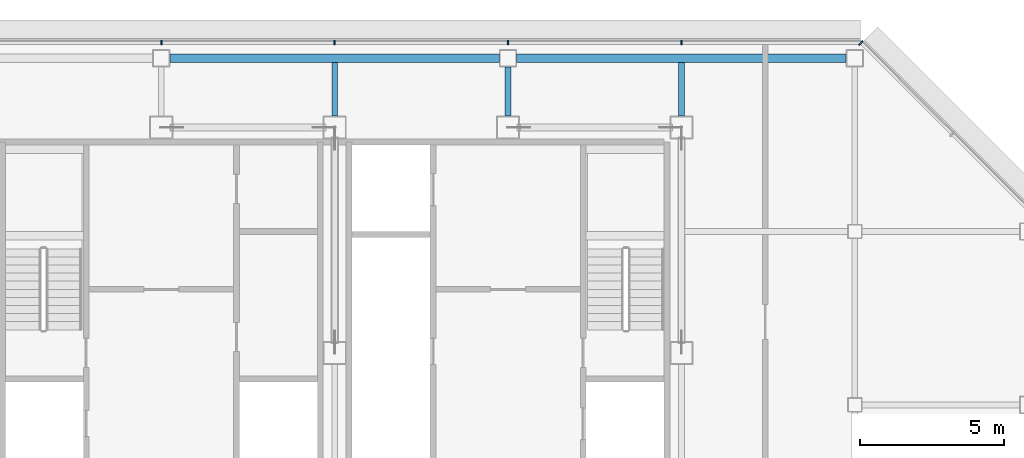
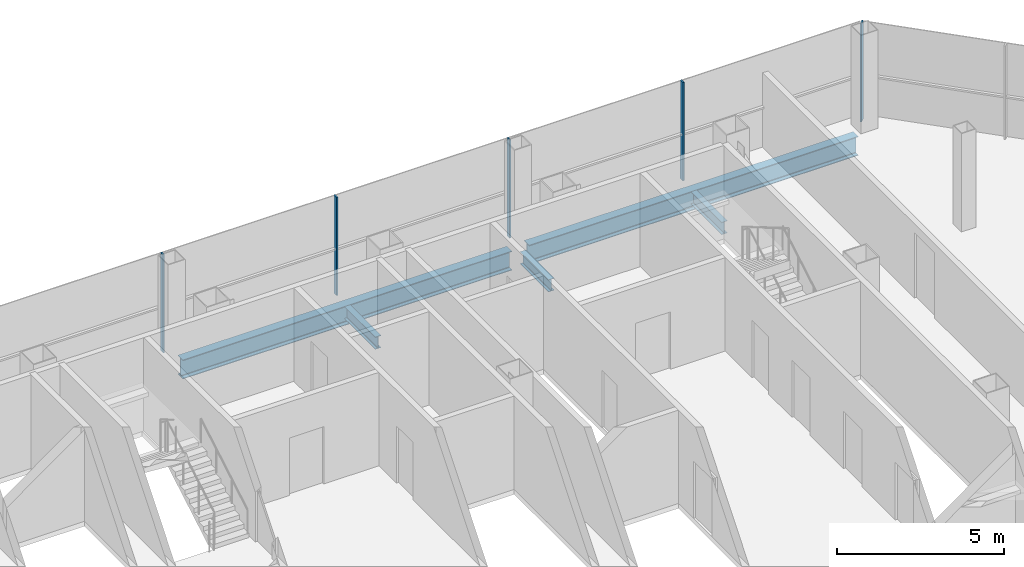
# One storey, part 16 of 28: 5 beams, 5 members, 2 elements without a shape of their own.
"""IFC4 building model written with IfcOpenShell, lengths in metres."""

import ifcopenshell
import ifcopenshell.guid

model = None  # the IFC model being written
_history = None  # IfcOwnerHistory: only IFC2X3 demands one
_inside = {}  # id of a spatial element -> (the spatial element, [elements in it])
_under = {}  # id of a project, library or spatial element -> (it, [spatial elements below it])
_declared = {}  # id of a project -> (the project, [libraries it declares])
_typed = {}  # id of a type object -> (the type object, [elements of that type])
_made_of = {}  # id of a material, layer set ... -> (it, [elements and type objects made of it])


def new_model(schema):
    """Start an empty IFC model of exactly this schema.

    Asked for "IFC4X3", IfcOpenShell would pick the latest addendum, in which some entities
    have other attributes; the version numbers below select the first issue.
    IFC2X3 requires an IfcOwnerHistory on every rooted entity: one is made here for all.
    """
    global model, _history
    if schema == "IFC4X3":
        model = ifcopenshell.file(schema_version=(4, 3, 0, 0))
    else:
        model = ifcopenshell.file(schema=schema)
    _inside.clear()
    _under.clear()
    _declared.clear()
    _typed.clear()
    _made_of.clear()
    _history = None
    if model.schema == "IFC2X3":
        org = make("IfcOrganization", Name="unknown")
        user = make(
            "IfcPersonAndOrganization",
            ThePerson=make("IfcPerson", FamilyName="unknown"),
            TheOrganization=org,
        )
        app = make(
            "IfcApplication",
            ApplicationDeveloper=org,
            Version="unknown",
            ApplicationFullName="unknown",
            ApplicationIdentifier="unknown",
        )
        _history = make(
            "IfcOwnerHistory",
            OwningUser=user,
            OwningApplication=app,
            ChangeAction="ADDED",
            CreationDate=0,
        )
    return model


def make(cls, **values):
    """One entity of the class cls with the attributes given. An attribute that is None is left unset."""
    return model.create_entity(
        cls, **{name: value for name, value in values.items() if value is not None}
    )


def rooted(cls, **values):
    """An entity with a GlobalId (a new one), such as an element, a storey or a relation."""
    return make(cls, GlobalId=ifcopenshell.guid.new(), OwnerHistory=_history, **values)


def si_unit(unit_type, name, prefix=None):
    """IfcSIUnit, for example si_unit("LENGTHUNIT", "METRE", prefix="MILLI")."""
    return make("IfcSIUnit", UnitType=unit_type, Prefix=prefix, Name=name)


def assignment(units):
    """IfcUnitAssignment: the units of a project."""
    return None if units is None else make("IfcUnitAssignment", Units=units)


def point(xyz):
    """IfcCartesianPoint."""
    return None if xyz is None else make("IfcCartesianPoint", Coordinates=xyz)


def direction(xyz):
    """IfcDirection."""
    return None if xyz is None else make("IfcDirection", DirectionRatios=xyz)


def frame(location, z_axis=None, x_axis=None):
    """IfcAxis2Placement3D, a coordinate frame: its origin and axes. An axis left out is left unset."""
    return make(
        "IfcAxis2Placement3D",
        Location=point(location),
        Axis=direction(z_axis),
        RefDirection=direction(x_axis),
    )


def frame_2d(location, x_axis=None):
    """IfcAxis2Placement2D, a coordinate frame in the plane: its origin and x axis."""
    return make(
        "IfcAxis2Placement2D", Location=point(location), RefDirection=direction(x_axis)
    )


def origin():
    """The frame at (0, 0, 0) with its axes left unset."""
    return frame((0.0, 0.0, 0.0))


def origin_2d():
    """The frame at (0, 0) in the plane with its x axis left unset."""
    return frame_2d((0.0, 0.0))


def place(relative_to, where):
    """IfcLocalPlacement: puts the frame where relative to a parent placement (None: the world)."""
    return make(
        "IfcLocalPlacement", PlacementRelTo=relative_to, RelativePlacement=where
    )


def context(
    kind, dimensions, precision=None, world=None, true_north=None, identifier=None
):
    """IfcGeometricRepresentationContext, for example the 3D "Model" context."""
    return make(
        "IfcGeometricRepresentationContext",
        ContextIdentifier=identifier,
        ContextType=kind,
        CoordinateSpaceDimension=dimensions,
        Precision=precision,
        WorldCoordinateSystem=world,
        TrueNorth=true_north,
    )


def subcontext(parent, identifier, kind, view, scale=None):
    """IfcGeometricRepresentationSubContext, for example "Body" below "Model"."""
    return make(
        "IfcGeometricRepresentationSubContext",
        ContextIdentifier=identifier,
        ContextType=kind,
        ParentContext=parent,
        TargetScale=scale,
        TargetView=view,
    )


def project(units=None, contexts=None):
    """IfcProject with its units and contexts."""
    return rooted(
        "IfcProject",
        Name="project",
        RepresentationContexts=contexts,
        UnitsInContext=assignment(units),
    )


def spatial(cls, under=None, at=None, **own):
    """A site, building, storey or space (cls), placed at a placement, below another one or the project."""
    s = rooted(cls, ObjectPlacement=at, **own)
    if under is not None:
        _under.setdefault(under.id(), (under, []))[1].append(s)
    return s


def profile(cls, at=None, kind="AREA", **sizes):
    """A parametric profile (cls). Its sizes go by their IFC names, for example OverallWidth=200.0."""
    return make(cls, ProfileType=kind, Position=at, **sizes)


def rectangle(**sizes):
    """IfcRectangleProfileDef."""
    return profile("IfcRectangleProfileDef", **sizes)


def i_section(**sizes):
    """IfcIShapeProfileDef."""
    return profile("IfcIShapeProfileDef", **sizes)


def extrude(swept, where, along, depth):
    """IfcExtrudedAreaSolid: the profile swept, set in the frame where, extruded along a direction by depth."""
    return make(
        "IfcExtrudedAreaSolid",
        SweptArea=swept,
        Position=where,
        ExtrudedDirection=direction(along),
        Depth=depth,
    )


def shape(context_of_items, identifier, shape_type, items):
    """IfcShapeRepresentation: the items that make up one representation, for example the "Body"."""
    return make(
        "IfcShapeRepresentation",
        ContextOfItems=context_of_items,
        RepresentationIdentifier=identifier,
        RepresentationType=shape_type,
        Items=items,
    )


def material(Name=None, Category=None):
    """IfcMaterial."""
    return make("IfcMaterial", Name=Name, Category=Category)


def material_profile(
    of_material, cross_section, Name=None, Category=None, Priority=None
):
    """IfcMaterialProfile: a cross section and its material."""
    return make(
        "IfcMaterialProfile",
        Name=Name,
        Material=of_material,
        Profile=cross_section,
        Priority=Priority,
        Category=Category,
    )


def profile_set(profiles, Name=None, composite=None):
    """IfcMaterialProfileSet."""
    return make(
        "IfcMaterialProfileSet",
        Name=Name,
        MaterialProfiles=profiles,
        CompositeProfile=composite,
    )


def made_of(thing, what):
    """Note that an element or type object is made of a material, layer set ...; save() writes the relation."""
    if what is not None:
        _made_of.setdefault(what.id(), (what, []))[1].append(thing)
    return thing


def type_object(cls, material=None, **own):
    """A type object (cls), such as IfcWallType, which elements share."""
    return made_of(rooted(cls, **own), material)


def element(
    cls,
    number,
    at=None,
    inside=None,
    cuts=None,
    type_object=None,
    material=None,
    context=None,
    identifier="Body",
    shape_type=None,
    held_by="IfcProductDefinitionShape",
    body=None,
    shapes=None,
    **own,
):
    """One element of the class cls, such as IfcWall. Its Tag is "e" and its number.

    at: its placement. inside: the storey or other place that contains it. cuts: it is an
    opening in that element (IfcRelVoidsElement). A single representation is given by context,
    identifier, shape_type and body (its items); several are given by shapes. held_by: the class
    of the entity that holds the representations. save() writes the other relations.
    """
    e = rooted(cls, Tag="e%d" % number, ObjectPlacement=at, **own)
    if body is not None:
        shapes = [shape(context, identifier, shape_type, body)]
    if shapes is not None:
        e.Representation = make(held_by, Representations=shapes)
    if inside is not None:
        _inside.setdefault(inside.id(), (inside, []))[1].append(e)
    if cuts is not None:
        rooted(
            "IfcRelVoidsElement", RelatingBuildingElement=cuts, RelatedOpeningElement=e
        )
    if type_object is not None:
        _typed.setdefault(type_object.id(), (type_object, []))[1].append(e)
    return made_of(e, material)


def aggregate(whole, parts):
    """IfcRelAggregates: a whole, such as a stair, and the parts it consists of."""
    return rooted("IfcRelAggregates", RelatingObject=whole, RelatedObjects=parts)


def save(model, path):
    """Write the relations noted so far, then the file.

    IfcRelAggregates (storeys below a building ...), IfcRelContainedInSpatialStructure (elements
    in a storey), IfcRelDefinesByType, IfcRelAssociatesMaterial and IfcRelDeclares: one each for
    every whole, place, type object, material and project.
    """
    for whole, parts in _under.values():
        aggregate(whole, parts)
    for where, things in _inside.values():
        rooted(
            "IfcRelContainedInSpatialStructure",
            RelatedElements=things,
            RelatingStructure=where,
        )
    for kind, things in _typed.values():
        rooted("IfcRelDefinesByType", RelatedObjects=things, RelatingType=kind)
    for what, things in _made_of.values():
        rooted("IfcRelAssociatesMaterial", RelatedObjects=things, RelatingMaterial=what)
    for by, libraries in _declared.values():
        rooted("IfcRelDeclares", RelatingContext=by, RelatedDefinitions=libraries)
    model.write(path)


model = new_model("IFC4")

# Units and contexts
model_context = context("Model", 3, precision=1e-05, world=origin(), true_north=direction((0.0, 1.0)))
body_context = subcontext(model_context, "Body", "Model", "MODEL_VIEW")
ifc_project = project(units=[si_unit("LENGTHUNIT", "METRE"), si_unit("AREAUNIT", "SQUARE_METRE"), si_unit("VOLUMEUNIT", "CUBIC_METRE"), si_unit("PLANEANGLEUNIT", "RADIAN"), si_unit("MASSUNIT", "GRAM", prefix="KILO")], contexts=[model_context])

# Site, building, storey
site_placement = place(None, origin())
site = spatial("IfcSite", under=ifc_project, at=site_placement, CompositionType="ELEMENT")
building_placement = place(site_placement, origin())
building = spatial("IfcBuilding", under=site, at=building_placement, Name="Sorahane Residences", CompositionType="ELEMENT")
storey_placement = place(building_placement, frame((0.0, 0.0, 273.800048828125)))
storey = spatial("IfcBuildingStorey", under=building, at=storey_placement, Name="L65", CompositionType="ELEMENT", Elevation=273.800048828125)

# Curtain wall, members
ifc_material_1 = material(Name="Dark low-e glass and black anodised aluminium", Category="aluminium")
curtain_wall_type_1 = type_object("IfcCurtainWallType", Name="Curtain wall CW-1 Typical unitised wall", PredefinedType="NOTDEFINED", material=ifc_material_1)
curtain_wall_1_placement = place(storey_placement, origin())
curtain_wall_1 = element("IfcCurtainWall", 1, at=curtain_wall_1_placement, inside=storey, type_object=curtain_wall_type_1, Name="CW-1 curtain wall L65 N1", PredefinedType="NOTDEFINED")
ifc_material_2 = material(Name="Black anodised aluminium", Category="aluminium")
ifc_material_profile_1 = material_profile(ifc_material_2, rectangle(XDim=0.159912109375, YDim=0.050048828125, at=origin_2d()), Name="Curtain wall mullion CW-1 black anodised aluminium 50x160")
ifc_profile_set_1 = profile_set([ifc_material_profile_1], Name="Black anodised aluminium")
member_type_1 = type_object("IfcMemberType", Name="Curtain wall mullion CW-1 black anodised aluminium 50x160", PredefinedType="MULLION", material=ifc_profile_set_1)
member_1_placement = place(storey_placement, frame((42.0, 48.5400390625, -0.179931640625), z_axis=(0.0, 0.0, 1.0), x_axis=(0.0, 1.0, 0.0)))
member_1 = element("IfcMember", 2, at=member_1_placement, type_object=member_type_1, Name="CW-1 mullion L65 N1.2", PredefinedType="MULLION", context=body_context, shape_type="SweptSolid", body=[
    extrude(rectangle(XDim=0.159912109375, YDim=0.050048828125, at=origin_2d()), origin(), (0.0, 0.0, 1.0), 3.599853515625),
])
member_2_placement = place(storey_placement, frame((36.0, 48.5400390625, -0.179931640625), z_axis=(0.0, 0.0, 1.0), x_axis=(0.0, 1.0, 0.0)))
member_2 = element("IfcMember", 3, at=member_2_placement, type_object=member_type_1, Name="CW-1 mullion L65 N1.3", PredefinedType="MULLION", context=body_context, shape_type="SweptSolid", body=[
    extrude(rectangle(XDim=0.159912109375, YDim=0.050048828125, at=origin_2d()), origin(), (0.0, 0.0, 1.0), 3.599853515625),
])
member_3_placement = place(storey_placement, frame((30.0, 48.5400390625, -0.179931640625), z_axis=(0.0, 0.0, 1.0), x_axis=(0.0, 1.0, 0.0)))
member_3 = element("IfcMember", 4, at=member_3_placement, type_object=member_type_1, Name="CW-1 mullion L65 N1.4", PredefinedType="MULLION", context=body_context, shape_type="SweptSolid", body=[
    extrude(rectangle(XDim=0.159912109375, YDim=0.050048828125, at=origin_2d()), origin(), (0.0, 0.0, 1.0), 3.599853515625),
])
member_4_placement = place(storey_placement, frame((24.0, 48.5400390625, -0.179931640625), z_axis=(0.0, 0.0, 1.0), x_axis=(0.0, 1.0, 0.0)))
member_4 = element("IfcMember", 5, at=member_4_placement, type_object=member_type_1, Name="CW-1 mullion L65 N1.5", PredefinedType="MULLION", context=body_context, shape_type="SweptSolid", body=[
    extrude(rectangle(XDim=0.159912109375, YDim=0.050048828125, at=origin_2d()), origin(), (0.0, 0.0, 1.0), 3.599853515625),
])
aggregate(curtain_wall_1, [member_1, member_2, member_3, member_4])

# Curtain wall, member
ifc_material_3 = material(Name="Dark low-e glass and black anodised aluminium", Category="aluminium")
curtain_wall_type_2 = type_object("IfcCurtainWallType", Name="Curtain wall CW-2 Chamfer unitised wall", PredefinedType="NOTDEFINED", material=ifc_material_3)
curtain_wall_2_placement = place(storey_placement, origin())
curtain_wall_2 = element("IfcCurtainWall", 6, at=curtain_wall_2_placement, inside=storey, type_object=curtain_wall_type_2, Name="CW-2 curtain wall L65 NE1", PredefinedType="NOTDEFINED")
ifc_material_4 = material(Name="Black anodised aluminium", Category="aluminium")
ifc_material_profile_2 = material_profile(ifc_material_4, rectangle(XDim=0.199951171875, YDim=0.050048828125, at=origin_2d()), Name="Curtain wall mullion CW-2 black anodised aluminium 50x200")
ifc_profile_set_2 = profile_set([ifc_material_profile_2], Name="Black anodised aluminium")
member_type_2 = type_object("IfcMemberType", Name="Curtain wall mullion CW-2 black anodised aluminium 50x200", PredefinedType="MULLION", material=ifc_profile_set_2)
member_5_placement = place(storey_placement, frame((48.209716796875, 48.525634765625, -0.179931640625), z_axis=(0.0, 0.0, 1.0), x_axis=(0.707106781187, 0.707106781187, 0.0)))
member_5 = element("IfcMember", 7, at=member_5_placement, type_object=member_type_2, Name="CW-2 mullion L65 NE1.3", PredefinedType="MULLION", context=body_context, shape_type="SweptSolid", body=[
    extrude(rectangle(XDim=0.199951171875, YDim=0.050048828125, at=origin_2d()), origin(), (0.0, 0.0, 1.0), 3.599853515625),
])
aggregate(curtain_wall_2, [member_5])

# Beams
ifc_material_5 = material(Name="Steel Q355B", Category="steel")
ifc_material_profile_3 = material_profile(ifc_material_5, i_section(OverallWidth=0.199951171875, OverallDepth=0.449951171875, WebThickness=0.009033203125, FlangeThickness=0.013916015625, FilletRadius=0.02001953125, at=origin_2d()), Name="HN 450x200x9x14")
ifc_profile_set_3 = profile_set([ifc_material_profile_3], Name="Steel Q355B")
beam_type_1 = type_object("IfcBeamType", Name="Steel floor beam HN 450x200x9x14 Q355B", PredefinedType="BEAM", material=ifc_profile_set_3)
beam_1_placement = place(storey_placement, frame((30.0, 46.0, -0.405029296875), z_axis=(0.0, 1.0, 0.0), x_axis=(-1.0, 0.0, 0.0)))
element("IfcBeam", 8, at=beam_1_placement, inside=storey, type_object=beam_type_1, Name="Beam L65 049", PredefinedType="BEAM", context=body_context, shape_type="SweptSolid", body=[
    extrude(i_section(OverallWidth=0.199951171875, OverallDepth=0.449951171875, WebThickness=0.009033203125, FlangeThickness=0.013916015625, FilletRadius=0.02001953125, at=origin_2d()), origin(), (0.0, 0.0, 1.0), 1.85009765625),
])
beam_2_placement = place(storey_placement, frame((36.0, 46.0, -0.405029296875), z_axis=(0.0, 1.0, 0.0), x_axis=(-1.0, 0.0, 0.0)))
element("IfcBeam", 9, at=beam_2_placement, inside=storey, type_object=beam_type_1, Name="Beam L65 051", PredefinedType="BEAM", context=body_context, shape_type="SweptSolid", body=[
    extrude(i_section(OverallWidth=0.199951171875, OverallDepth=0.449951171875, WebThickness=0.009033203125, FlangeThickness=0.013916015625, FilletRadius=0.02001953125, at=origin_2d()), origin(), (0.0, 0.0, 1.0), 1.699951171875),
])
beam_3_placement = place(storey_placement, frame((42.0, 46.0, -0.405029296875), z_axis=(0.0, 1.0, 0.0), x_axis=(-1.0, 0.0, 0.0)))
element("IfcBeam", 10, at=beam_3_placement, inside=storey, type_object=beam_type_1, Name="Beam L65 057", PredefinedType="BEAM", context=body_context, shape_type="SweptSolid", body=[
    extrude(i_section(OverallWidth=0.199951171875, OverallDepth=0.449951171875, WebThickness=0.009033203125, FlangeThickness=0.013916015625, FilletRadius=0.02001953125, at=origin_2d()), origin(), (0.0, 0.0, 1.0), 1.85009765625),
])
ifc_material_6 = material(Name="Steel Q355B", Category="steel")
ifc_material_profile_4 = material_profile(ifc_material_6, i_section(OverallWidth=0.300048828125, OverallDepth=0.699951171875, WebThickness=0.012939453125, FlangeThickness=0.02392578125, FilletRadius=0.028076171875, at=origin_2d()), Name="HN 700x300x13x24")
ifc_profile_set_4 = profile_set([ifc_material_profile_4], Name="Steel Q355B")
beam_type_2 = type_object("IfcBeamType", Name="Steel floor beam HN 700x300x13x24 Q355B", PredefinedType="BEAM", material=ifc_profile_set_4)
for number, where, z_axis, x_axis, name in (
    (11, (24.300048828125, 48.0, -0.530029296875), (1.0, 0.0, 0.0), (0.0, 1.0, 0.0), "Beam L65 018"),
    (12, (36.300048828125, 48.0, -0.530029296875), (1.0, 0.0, 0.0), (0.0, 1.0, 0.0), "Beam L65 019"),
):
    element("IfcBeam", number, at=place(storey_placement, frame(where, z_axis=z_axis, x_axis=x_axis)), inside=storey, type_object=beam_type_2, Name=name, PredefinedType="BEAM", context=body_context, shape_type="SweptSolid", body=[
        extrude(i_section(OverallWidth=0.300048828125, OverallDepth=0.699951171875, WebThickness=0.012939453125, FlangeThickness=0.02392578125, FilletRadius=0.028076171875, at=origin_2d()), origin(), (0.0, 0.0, 1.0), 11.39990234375),
    ])

save(model, "model.ifc")
